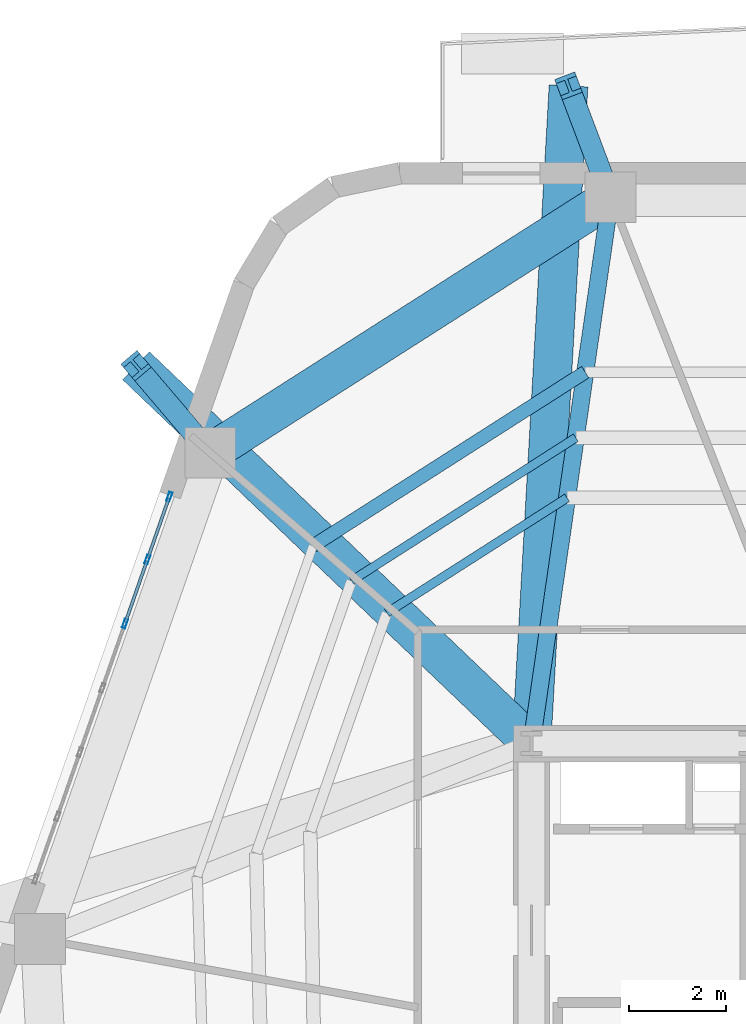
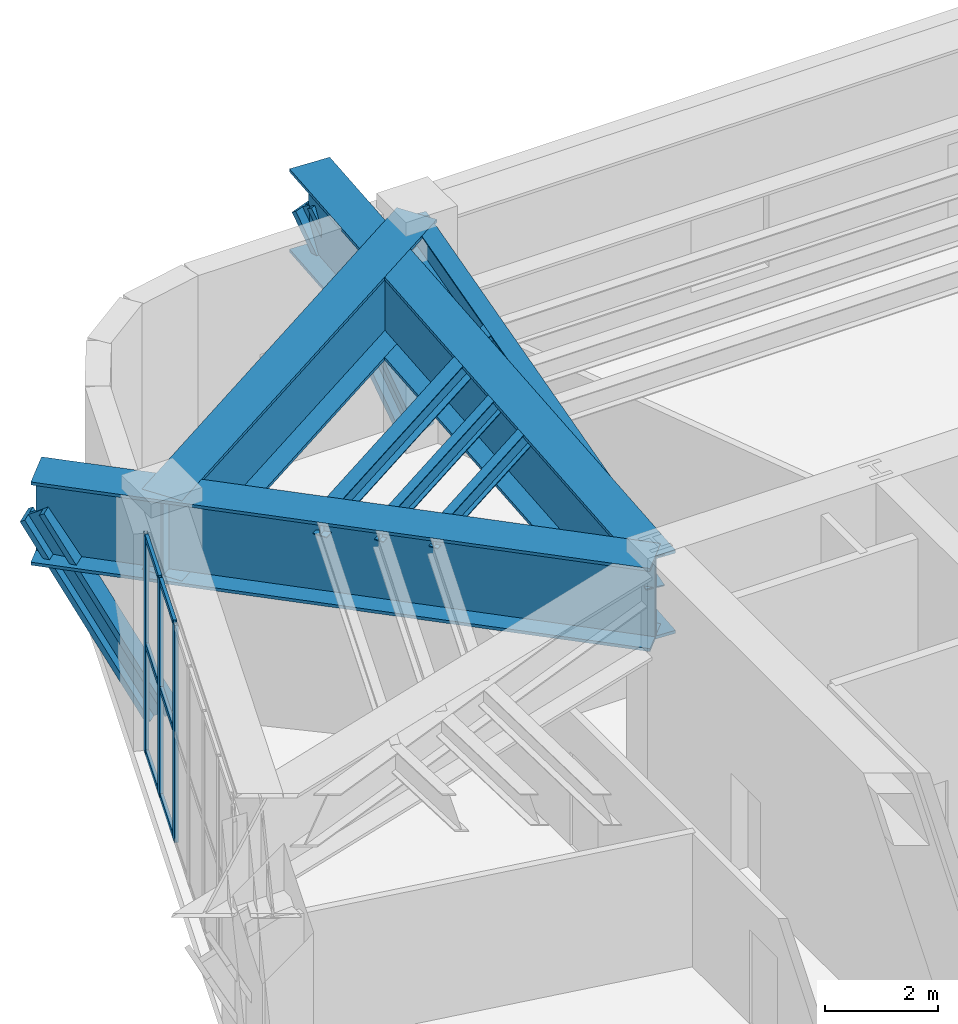
# One storey, part 9 of 18: 11 members, 7 beams, 1 element without a shape of its own.
"""IFC4 building model written with IfcOpenShell, lengths in metres."""

from ifc_helpers import new_model, si_unit, direction, frame, origin, origin_2d, place, context, subcontext, project, spatial, hollow_rectangle, i_section, extrude, material, layer, layer_set, material_profile, profile_set, type_object, element, aggregate, save


model = new_model("IFC4")

# Units and contexts
model_context = context("Model", 3, precision=1e-05, world=origin(), true_north=direction((0.0, 1.0)))
body_context = subcontext(model_context, "Body", "Model", "MODEL_VIEW")
ifc_project = project(units=[si_unit("LENGTHUNIT", "METRE"), si_unit("AREAUNIT", "SQUARE_METRE"), si_unit("VOLUMEUNIT", "CUBIC_METRE"), si_unit("PLANEANGLEUNIT", "RADIAN"), si_unit("MASSUNIT", "GRAM", prefix="KILO")], contexts=[model_context])

# Site, building, storey
site_placement = place(None, origin())
site = spatial("IfcSite", under=ifc_project, at=site_placement, CompositionType="ELEMENT")
building_placement = place(site_placement, origin())
building = spatial("IfcBuilding", under=site, at=building_placement, Name="Kilnhurst Terrace Hotel", CompositionType="ELEMENT")
storey_placement = place(building_placement, frame((0.0, 0.0, 201.5)))
storey = spatial("IfcBuildingStorey", under=building, at=storey_placement, Name="L50", CompositionType="ELEMENT", Elevation=201.5)

# Beams
ifc_material_1 = material(Name="Steel ASTM A992 Grade 50", Category="steel")
ifc_material_profile_1 = material_profile(ifc_material_1, i_section(OverallWidth=0.354736328125, OverallDepth=0.695556640625, WebThickness=0.015380859375, FlangeThickness=0.025146484375, at=origin_2d()), Name="W27X146")
ifc_profile_set_1 = profile_set([ifc_material_profile_1], Name="Steel ASTM A992 Grade 50")
beam_type_1 = type_object("IfcBeamType", Name="BM-STL-W27X146", PredefinedType="BEAM", material=ifc_profile_set_1)
beam_1_placement = place(storey_placement, frame((-9.0, 7.5, 4.35205078125), z_axis=(0.143112538238, 0.989706421824, 0.0), x_axis=(-0.989706421824, 0.143112538238, 0.0)))
element("IfcBeam", 1, at=beam_1_placement, inside=storey, type_object=beam_type_1, Name="L50 Radial Floor Beam 8", PredefinedType="BEAM", context=body_context, shape_type="SweptSolid", body=[
    extrude(i_section(OverallWidth=0.354736328125, OverallDepth=0.695556640625, WebThickness=0.015380859375, FlangeThickness=0.025146484375, at=origin_2d()), origin(), (0.0, 0.0, 1.0), 11.3974609375),
])
ifc_material_profile_2 = material_profile(ifc_material_1, i_section(OverallWidth=0.180908203125, OverallDepth=0.417236328125, WebThickness=0.010986328125, FlangeThickness=0.018310546875, at=origin_2d()), Name="W16X57")
ifc_profile_set_2 = profile_set([ifc_material_profile_2], Name="Steel ASTM A992 Grade 50")
beam_type_2 = type_object("IfcBeamType", Name="JST-STL-W16X57", PredefinedType="JOIST", material=ifc_profile_set_2)
beam_2_placement = place(storey_placement, frame((-8.26611328125, 12.575927734375, 4.490966796875), z_axis=(-0.842910995806, -0.53805302076, 0.0), x_axis=(0.53805302076, -0.842910995806, 0.0)))
element("IfcBeam", 2, at=beam_2_placement, inside=storey, type_object=beam_type_2, Name="L50 Secondary Floor Steel Joist IN.8", PredefinedType="JOIST", context=body_context, shape_type="SweptSolid", body=[
    extrude(i_section(OverallWidth=0.180908203125, OverallDepth=0.417236328125, WebThickness=0.010986328125, FlangeThickness=0.018310546875, at=origin_2d()), origin(), (0.0, 0.0, 1.0), 4.411865234375),
])
beam_3_placement = place(storey_placement, frame((-8.086669921875, 13.81689453125, 4.490966796875), z_axis=(-0.842913627897, -0.538048897318, 0.0), x_axis=(0.538048897318, -0.842913627897, 0.0)))
element("IfcBeam", 3, at=beam_3_placement, inside=storey, type_object=beam_type_2, Name="L50 Secondary Floor Steel Joist MID.8", PredefinedType="JOIST", context=body_context, shape_type="SweptSolid", body=[
    extrude(i_section(OverallWidth=0.180908203125, OverallDepth=0.417236328125, WebThickness=0.010986328125, FlangeThickness=0.018310546875, at=origin_2d()), origin(), (0.0, 0.0, 1.0), 5.490478515625),
])
ifc_material_profile_3 = material_profile(ifc_material_1, i_section(OverallWidth=0.279296875, OverallDepth=0.462890625, WebThickness=0.0107421875, FlangeThickness=0.017333984375, at=origin_2d()), Name="W18X76")
ifc_profile_set_3 = profile_set([ifc_material_profile_3], Name="Steel ASTM A992 Grade 50")
beam_type_3 = type_object("IfcBeamType", Name="JST-STL-W18X76", PredefinedType="JOIST", material=ifc_profile_set_3)
beam_4_placement = place(storey_placement, frame((-7.890869140625, 15.17041015625, 4.468017578125), z_axis=(-0.842927863369, -0.538026595213, 0.0), x_axis=(0.538026595213, -0.842927863369, 0.0)))
element("IfcBeam", 4, at=beam_4_placement, inside=storey, type_object=beam_type_3, Name="L50 Secondary Floor Steel Joist OUT.8", PredefinedType="JOIST", context=body_context, shape_type="SweptSolid", body=[
    extrude(i_section(OverallWidth=0.279296875, OverallDepth=0.462890625, WebThickness=0.0107421875, FlangeThickness=0.017333984375, at=origin_2d()), origin(), (0.0, 0.0, 1.0), 6.666748046875),
])

# Curtain wall, members
ifc_material_2 = material(Name="Anodized Aluminium Alloy 6063-T6 and Low-E Glass", Category="aluminium")
ifc_layer = layer(ifc_material_2, 0.219970703125, Name="Anodized Aluminium Alloy 6063-T6 and Low-E Glass")
ifc_layer_set = layer_set([ifc_layer], Name="Anodized Aluminium Alloy 6063-T6 and Low-E Glass")
curtain_wall_type = type_object("IfcCurtainWallType", Name="CW-SPA-L50", PredefinedType="NOTDEFINED", material=ifc_layer_set)
curtain_wall_placement = place(storey_placement, origin())
curtain_wall = element("IfcCurtainWall", 5, at=curtain_wall_placement, inside=storey, type_object=curtain_wall_type, Name="L50 Curtain Wall CW-L50-F5-1", PredefinedType="NOTDEFINED")
ifc_material_3 = material(Name="Extruded Aluminium Alloy 6063-T6", Category="aluminium")
ifc_material_profile_4 = material_profile(ifc_material_3, hollow_rectangle(XDim=0.070068359375, YDim=0.18994140625, WallThickness=0.00390625, at=origin_2d()), Name="CWM70X190")
ifc_profile_set_4 = profile_set([ifc_material_profile_4], Name="Extruded Aluminium Alloy 6063-T6")
member_type_1 = type_object("IfcMemberType", Name="MEM-CWM70X190", PredefinedType="MULLION", material=ifc_profile_set_4)
member_1_placement = place(storey_placement, frame((-16.4755859375, 12.597900390625, 0.0), z_axis=(0.0, 0.0, 1.0), x_axis=(0.943826380497, -0.330441770176, 0.0)))
member_1 = element("IfcMember", 6, at=member_1_placement, type_object=member_type_1, Name="CWA-4 mullion 1", PredefinedType="MULLION", context=body_context, shape_type="SweptSolid", body=[
    extrude(hollow_rectangle(XDim=0.070068359375, YDim=0.18994140625, WallThickness=0.00390625, at=origin_2d()), origin(), (0.0, 0.0, 1.0), 4.699951171875),
])
member_2_placement = place(storey_placement, frame((-16.9287109375, 11.303955078125, 0.0), z_axis=(0.0, 0.0, 1.0), x_axis=(0.943826380497, -0.330441770176, 0.0)))
member_2 = element("IfcMember", 7, at=member_2_placement, type_object=member_type_1, Name="CWA-4 mullion 2", PredefinedType="MULLION", context=body_context, shape_type="SweptSolid", body=[
    extrude(hollow_rectangle(XDim=0.070068359375, YDim=0.18994140625, WallThickness=0.00390625, at=origin_2d()), origin(), (0.0, 0.0, 1.0), 4.699951171875),
])
member_3_placement = place(storey_placement, frame((-17.393310546875, 9.976806640625, 0.0), z_axis=(0.0, 0.0, 1.0), x_axis=(0.943826380497, -0.330441770176, 0.0)))
member_3 = element("IfcMember", 8, at=member_3_placement, type_object=member_type_1, Name="CWA-4 mullion 3", PredefinedType="MULLION", context=body_context, shape_type="SweptSolid", body=[
    extrude(hollow_rectangle(XDim=0.070068359375, YDim=0.18994140625, WallThickness=0.00390625, at=origin_2d()), origin(), (0.0, 0.0, 1.0), 4.699951171875),
])
ifc_material_profile_5 = material_profile(ifc_material_3, hollow_rectangle(XDim=0.06494140625, YDim=0.1201171875, WallThickness=0.00341796875, at=origin_2d()), Name="CWT65X120")
ifc_profile_set_5 = profile_set([ifc_material_profile_5], Name="Extruded Aluminium Alloy 6063-T6")
member_type_2 = type_object("IfcMemberType", Name="MEM-CWT65X120", PredefinedType="USERDEFINED", material=ifc_profile_set_5)
member_4_placement = place(storey_placement, frame((-16.487060546875, 12.56494140625, 0.032470703125), z_axis=(-0.330434004716, -0.943829099216, 0.0), x_axis=(0.943829099216, -0.330434004716, 0.0)))
member_4 = element("IfcMember", 9, at=member_4_placement, type_object=member_type_2, Name="CWA-4 transom 1.1", ObjectType="TRANSOM", PredefinedType="USERDEFINED", context=body_context, shape_type="SweptSolid", body=[
    extrude(hollow_rectangle(XDim=0.06494140625, YDim=0.1201171875, WallThickness=0.00341796875, at=origin_2d()), origin(), (0.0, 0.0, 1.0), 1.301025390625),
])
member_5_placement = place(storey_placement, frame((-16.487060546875, 12.56494140625, 2.35009765625), z_axis=(-0.330434004716, -0.943829099216, 0.0), x_axis=(0.943829099216, -0.330434004716, 0.0)))
member_5 = element("IfcMember", 10, at=member_5_placement, type_object=member_type_2, Name="CWA-4 transom 1.2", ObjectType="TRANSOM", PredefinedType="USERDEFINED", context=body_context, shape_type="SweptSolid", body=[
    extrude(hollow_rectangle(XDim=0.06494140625, YDim=0.1201171875, WallThickness=0.00341796875, at=origin_2d()), origin(), (0.0, 0.0, 1.0), 1.301025390625),
])
member_6_placement = place(storey_placement, frame((-16.487060546875, 12.56494140625, 4.66748046875), z_axis=(-0.330434004716, -0.943829099216, 0.0), x_axis=(0.943829099216, -0.330434004716, 0.0)))
member_6 = element("IfcMember", 11, at=member_6_placement, type_object=member_type_2, Name="CWA-4 transom 1.3", ObjectType="TRANSOM", PredefinedType="USERDEFINED", context=body_context, shape_type="SweptSolid", body=[
    extrude(hollow_rectangle(XDim=0.06494140625, YDim=0.1201171875, WallThickness=0.00341796875, at=origin_2d()), origin(), (0.0, 0.0, 1.0), 1.301025390625),
])
member_7_placement = place(storey_placement, frame((-16.940185546875, 11.270751953125, 0.032470703125), z_axis=(-0.330448117378, -0.943824158263, 0.0), x_axis=(0.943824158263, -0.330448117378, 0.0)))
member_7 = element("IfcMember", 12, at=member_7_placement, type_object=member_type_2, Name="CWA-4 transom 2.1", ObjectType="TRANSOM", PredefinedType="USERDEFINED", context=body_context, shape_type="SweptSolid", body=[
    extrude(hollow_rectangle(XDim=0.06494140625, YDim=0.1201171875, WallThickness=0.00341796875, at=origin_2d()), origin(), (0.0, 0.0, 1.0), 1.335693359375),
])
member_8_placement = place(storey_placement, frame((-16.940185546875, 11.270751953125, 2.35009765625), z_axis=(-0.330448117378, -0.943824158263, 0.0), x_axis=(0.943824158263, -0.330448117378, 0.0)))
member_8 = element("IfcMember", 13, at=member_8_placement, type_object=member_type_2, Name="CWA-4 transom 2.2", ObjectType="TRANSOM", PredefinedType="USERDEFINED", context=body_context, shape_type="SweptSolid", body=[
    extrude(hollow_rectangle(XDim=0.06494140625, YDim=0.1201171875, WallThickness=0.00341796875, at=origin_2d()), origin(), (0.0, 0.0, 1.0), 1.335693359375),
])
member_9_placement = place(storey_placement, frame((-16.940185546875, 11.270751953125, 4.66748046875), z_axis=(-0.330448117378, -0.943824158263, 0.0), x_axis=(0.943824158263, -0.330448117378, 0.0)))
member_9 = element("IfcMember", 14, at=member_9_placement, type_object=member_type_2, Name="CWA-4 transom 2.3", ObjectType="TRANSOM", PredefinedType="USERDEFINED", context=body_context, shape_type="SweptSolid", body=[
    extrude(hollow_rectangle(XDim=0.06494140625, YDim=0.1201171875, WallThickness=0.00341796875, at=origin_2d()), origin(), (0.0, 0.0, 1.0), 1.335693359375),
])
aggregate(curtain_wall, [member_1, member_2, member_3, member_4, member_5, member_6, member_7, member_8, member_9])

# Members
ifc_material_profile_6 = material_profile(ifc_material_1, i_section(OverallWidth=0.44189453125, OverallDepth=0.531494140625, WebThickness=0.06591796875, FlangeThickness=0.105712890625, at=origin_2d()), Name="W14X605")
ifc_profile_set_6 = profile_set([ifc_material_profile_6], Name="Steel ASTM A992 Grade 50")
member_type_3 = type_object("IfcMemberType", Name="MEM-OTR-DIAG-605", PredefinedType="BRACE", material=ifc_profile_set_6)
member_10_placement = place(storey_placement, frame((-7.368896484375, 18.780029296875, 0.0), z_axis=(-0.191610966986, 0.508211407652, 0.83964659379), x_axis=(-0.935703198783, -0.352788213786, 0.0)))
element("IfcMember", 15, at=member_10_placement, inside=storey, type_object=member_type_3, Name="L50 Waist Flare Inclined Column Strut 8", PredefinedType="BRACE", context=body_context, shape_type="SweptSolid", body=[
    extrude(i_section(OverallWidth=0.44189453125, OverallDepth=0.531494140625, WebThickness=0.06591796875, FlangeThickness=0.105712890625, at=origin_2d()), origin(), (0.0, 0.0, 1.0), 4.52587890625),
])
member_11_placement = place(storey_placement, frame((-15.633056640625, 13.5048828125, 0.0), z_axis=(-0.342548946725, 0.402013567195, 0.84914386937), x_axis=(-0.761156353551, -0.648568427731, 0.0)))
element("IfcMember", 16, at=member_11_placement, inside=storey, type_object=member_type_3, Name="L50 Waist Flare Inclined Column Strut 9", PredefinedType="BRACE", context=body_context, shape_type="SweptSolid", body=[
    extrude(i_section(OverallWidth=0.44189453125, OverallDepth=0.531494140625, WebThickness=0.06591796875, FlangeThickness=0.105712890625, at=origin_2d()), origin(), (0.0, 0.0, 1.0), 4.47509765625),
])

# Beams
ifc_material_4 = material(Name="Steel ASTM A572 Grade 50", Category="steel")
ifc_material_profile_7 = material_profile(ifc_material_4, i_section(OverallWidth=0.800048828125, OverallDepth=1.800048828125, WebThickness=0.0400390625, FlangeThickness=0.06494140625, at=origin_2d()), Name="PG1800X800")
ifc_profile_set_7 = profile_set([ifc_material_profile_7], Name="Steel ASTM A572 Grade 50")
beam_type_4 = type_object("IfcBeamType", Name="TG-STEP-1800", PredefinedType="USERDEFINED", material=ifc_profile_set_7)
beam_5_placement = place(storey_placement, frame((-7.368896484375, 18.780029296875, 3.800048828125), z_axis=(-0.842915241256, -0.538046369803, 0.0), x_axis=(0.538046369803, -0.842915241256, 0.0)))
element("IfcBeam", 17, at=beam_5_placement, inside=storey, type_object=beam_type_4, Name="L50 Zone Step Perimeter Transfer Girder 8", ObjectType="GIRDER", PredefinedType="USERDEFINED", context=body_context, shape_type="SweptSolid", body=[
    extrude(i_section(OverallWidth=0.800048828125, OverallDepth=1.800048828125, WebThickness=0.0400390625, FlangeThickness=0.06494140625, at=origin_2d()), origin(), (0.0, 0.0, 1.0), 9.80419921875),
])
beam_6_placement = place(storey_placement, frame((-9.0, 7.5, 3.800048828125), z_axis=(0.056163905291, 0.998421562138, 0.0), x_axis=(-0.998421562138, 0.056163905291, 0.0)))
element("IfcBeam", 18, at=beam_6_placement, inside=storey, type_object=beam_type_4, Name="L50 Zone Flare Radial Transfer Girder 8", ObjectType="GIRDER", PredefinedType="USERDEFINED", context=body_context, shape_type="SweptSolid", body=[
    extrude(i_section(OverallWidth=0.800048828125, OverallDepth=1.800048828125, WebThickness=0.0400390625, FlangeThickness=0.06494140625, at=origin_2d()), origin(), (0.0, 0.0, 1.0), 13.6015625),
])
beam_7_placement = place(storey_placement, frame((-9.0, 7.5, 3.800048828125), z_axis=(-0.722952064528, 0.690898192497, 0.0), x_axis=(-0.690898192497, -0.722952064528, 0.0)))
element("IfcBeam", 19, at=beam_7_placement, inside=storey, type_object=beam_type_4, Name="L50 Zone Flare Radial Transfer Girder 9", ObjectType="GIRDER", PredefinedType="USERDEFINED", context=body_context, shape_type="SweptSolid", body=[
    extrude(i_section(OverallWidth=0.800048828125, OverallDepth=1.800048828125, WebThickness=0.0400390625, FlangeThickness=0.06494140625, at=origin_2d()), origin(), (0.0, 0.0, 1.0), 11.29541015625),
])

save(model, "model.ifc")
